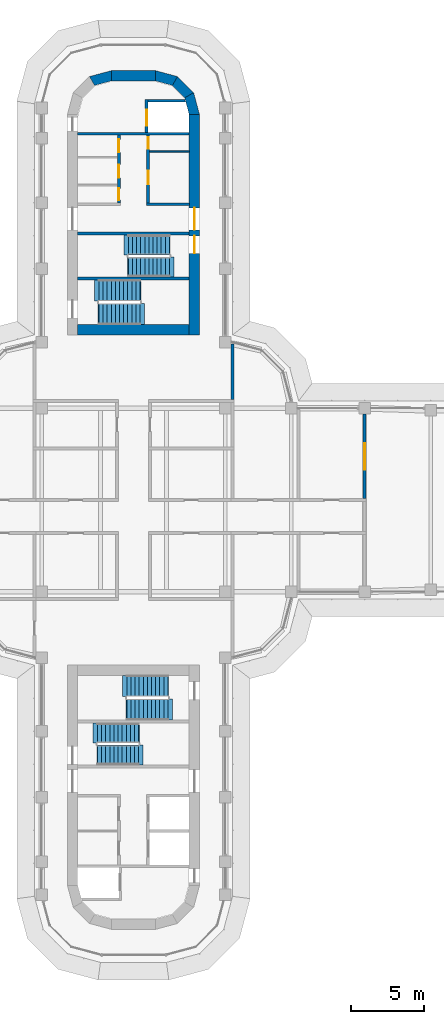
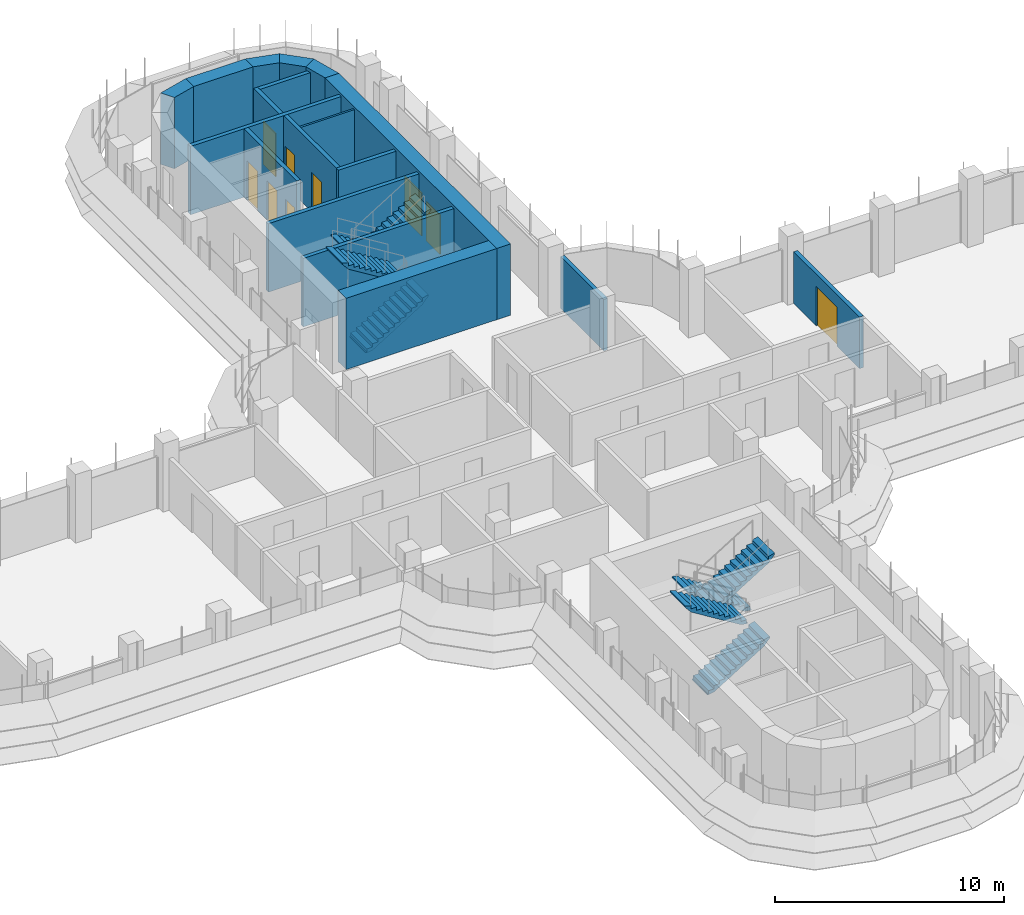
# One storey, part 15 of 19: 18 walls, 9 doors, 8 stair flights, 9 openings, 4 elements without a shape of their own.
"""IFC4 building model written with IfcOpenShell, lengths in metres."""

from ifc_helpers import new_model, si_unit, direction, frame, frame_2d, origin, place, context, subcontext, project, spatial, polyline, rectangle, outline, extrude, material, layer, layer_set, type_object, element, fill, aggregate, save


model = new_model("IFC4")

# Units and contexts
model_context = context("Model", 3, precision=1e-05, world=origin(), true_north=direction((0.0, 1.0)))
body_context = subcontext(model_context, "Body", "Model", "MODEL_VIEW")
ifc_project = project(units=[si_unit("LENGTHUNIT", "METRE"), si_unit("AREAUNIT", "SQUARE_METRE"), si_unit("VOLUMEUNIT", "CUBIC_METRE"), si_unit("PLANEANGLEUNIT", "RADIAN"), si_unit("MASSUNIT", "GRAM", prefix="KILO")], contexts=[model_context])

# Site, building, storey
site_placement = place(None, origin())
site = spatial("IfcSite", under=ifc_project, at=site_placement, CompositionType="ELEMENT")
building_placement = place(site_placement, origin())
building = spatial("IfcBuilding", under=site, at=building_placement, Name="Zarbagh Exchange Tower", CompositionType="ELEMENT")
storey_placement = place(building_placement, frame((0.0, 0.0, 167.60009765625)))
storey = spatial("IfcBuildingStorey", under=building, at=storey_placement, Name="L40", CompositionType="ELEMENT", Elevation=167.60009765625)

# Walls
ifc_material_1 = material(Name="Dense blockwork", Category="masonry")
ifc_layer_1 = layer(ifc_material_1, 0.10009765625)
ifc_layer_set_1 = layer_set([ifc_layer_1], Name="Core partition 100 mm blockwork")
wall_type_1 = type_object("IfcWallType", Name="Core partition 100 mm blockwork", PredefinedType="PARTITIONING", material=ifc_layer_set_1)
wall_1_placement = place(storey_placement, frame((1.10009765625, 23.75, 0.0), z_axis=(0.0, 0.0, 1.0), x_axis=(1.0, 0.0, 0.0)))
element("IfcWall", 1, at=wall_1_placement, inside=storey, type_object=wall_type_1, Name="North core partition wall CUT-E-460", PredefinedType="PARTITIONING", context=body_context, shape_type="SweptSolid", body=[
    extrude(rectangle(XDim=2.699951171875, YDim=0.10009765625, at=frame_2d((1.35009765625, 0.0))), origin(), (0.0, 0.0, 1.0), 3.64990234375),
])
ifc_material_2 = material(Name="Fire-rated plasterboard partition")
ifc_layer_2 = layer(ifc_material_2, 0.199951171875)
ifc_layer_set_2 = layer_set([ifc_layer_2], Name="RATED PARTITION 200")
wall_type_2 = type_object("IfcWallType", Name="RATED PARTITION 200", PredefinedType="PARTITIONING", material=ifc_layer_set_2)
wall_2_placement = place(storey_placement, frame((6.75, 6.85009765625, 0.0), z_axis=(0.0, 0.0, 1.0), x_axis=(0.0, 1.0, 0.0)))
element("IfcWall", 2, at=wall_2_placement, inside=storey, type_object=wall_type_2, Name="Partition W-1722", PredefinedType="PARTITIONING", context=body_context, shape_type="SweptSolid", body=[
    extrude(rectangle(XDim=3.77978515625, YDim=0.199951171875, at=frame_2d((1.889892578125, 0.0))), origin(), (0.0, 0.0, 1.0), 2.75),
])

# Wall, opening, door
wall_3_placement = place(storey_placement, frame((15.75, 5.85009765625, 0.0), z_axis=(0.0, 0.0, 1.0), x_axis=(0.0, -1.0, 0.0)))
wall_3 = element("IfcWall", 3, at=wall_3_placement, inside=storey, type_object=wall_type_2, Name="Partition W-1742", PredefinedType="PARTITIONING", context=body_context, shape_type="SweptSolid", body=[
    extrude(rectangle(XDim=5.75, YDim=0.199951171875, at=frame_2d((2.875, 0.0))), origin(), (0.0, 0.0, 1.0), 2.75),
])
opening_1_placement = place(wall_3_placement, frame((1.97509765625, 0.0, 0.0)))
opening_1 = element("IfcOpeningElement", 4, at=opening_1_placement, cuts=wall_3, Name="Opening D-1701", PredefinedType="OPENING", context=body_context, shape_type="SweptSolid", body=[
    extrude(rectangle(XDim=1.800048828125, YDim=2.10009765625, at=frame_2d((0.89990234375, 1.050048828125))), frame((0.0, 0.10986328125, 0.0), z_axis=(0.0, -1.0, 0.0), x_axis=(1.0, 0.0, 0.0)), (0.0, 0.0, 1.0), 0.219970703125),
])
ifc_material_3 = material(Name="Steel door set", Category="steel")
door_type_1 = type_object("IfcDoorType", Name="FIRE DOUBLE DOOR 1800 X 2100 FD30S", OperationType="DOUBLE_DOOR_SINGLE_SWING", PredefinedType="DOOR", material=ifc_material_3)
door_1_placement = place(opening_1_placement, origin())
door_1 = element("IfcDoor", 5, at=door_1_placement, inside=storey, type_object=door_type_1, Name="Door D-1701", OperationType="DOUBLE_DOOR_SINGLE_SWING", OverallHeight=2.10009765625, OverallWidth=1.800048828125, PredefinedType="DOOR", context=body_context, shape_type="SweptSolid", body=[
    extrude(rectangle(XDim=1.800048828125, YDim=2.10009765625, at=frame_2d((0.89990234375, 1.050048828125))), frame((0.0, 0.02490234375, 0.0), z_axis=(0.0, -1.0, 0.0), x_axis=(1.0, 0.0, 0.0)), (0.0, 0.0, 1.0), 0.050048828125),
])
fill(opening_1, door_1)

# Walls
ifc_material_4 = material(Name="Concrete C50/60", Category="concrete")
ifc_layer_3 = layer(ifc_material_4, 0.699951171875)
ifc_layer_set_3 = layer_set([ifc_layer_3], Name="RC core corner wall 700 C50/60")
wall_type_3 = type_object("IfcWallType", Name="RC core corner wall 700 C50/60", PredefinedType="SHEAR", material=ifc_layer_set_3)
wall_4_placement = place(storey_placement, origin())
element("IfcWall", 6, at=wall_4_placement, inside=storey, type_object=wall_type_3, Name="CW6 core N corner W", PredefinedType="SHEAR", context=body_context, shape_type="SweptSolid", body=[
    extrude(outline(polyline([(-3.0, 28.84814453125), (-1.5, 29.25), (-1.5, 28.550048828125), (-2.64990234375, 28.241943359375), (-3.0, 28.84814453125)])), origin(), (0.0, 0.0, 1.0), 3.7998046875),
])
wall_5_placement = place(storey_placement, origin())
element("IfcWall", 7, at=wall_5_placement, inside=storey, type_object=wall_type_3, Name="CW6 core N corner E", PredefinedType="SHEAR", context=body_context, shape_type="SweptSolid", body=[
    extrude(outline(polyline([(4.5, 26.25), (4.09814453125, 27.75), (3.491943359375, 27.39990234375), (3.800048828125, 26.25), (4.5, 26.25)])), origin(), (0.0, 0.0, 1.0), 3.7998046875),
])
wall_6_placement = place(storey_placement, origin())
element("IfcWall", 8, at=wall_6_placement, inside=storey, type_object=wall_type_3, Name="CW6 core N corner E", PredefinedType="SHEAR", context=body_context, shape_type="SweptSolid", body=[
    extrude(outline(polyline([(4.09814453125, 27.75), (3.0, 28.84814453125), (2.64990234375, 28.241943359375), (3.491943359375, 27.39990234375), (4.09814453125, 27.75)])), origin(), (0.0, 0.0, 1.0), 3.7998046875),
])
wall_7_placement = place(storey_placement, origin())
element("IfcWall", 9, at=wall_7_placement, inside=storey, type_object=wall_type_3, Name="CW6 core N corner E", PredefinedType="SHEAR", context=body_context, shape_type="SweptSolid", body=[
    extrude(outline(polyline([(3.0, 28.84814453125), (1.5, 29.25), (1.5, 28.550048828125), (2.64990234375, 28.241943359375), (3.0, 28.84814453125)])), origin(), (0.0, 0.0, 1.0), 3.7998046875),
])

# Wall, openings, doors
ifc_layer_4 = layer(ifc_material_4, 0.699951171875)
ifc_layer_set_4 = layer_set([ifc_layer_4], Name="RC core wall 700 C50/60")
wall_type_4 = type_object("IfcWallType", Name="RC core wall 700 C50/60", PredefinedType="SHEAR", material=ifc_layer_set_4)
wall_8_placement = place(storey_placement, frame((4.14990234375, 11.25, 0.0), z_axis=(0.0, 0.0, 1.0), x_axis=(0.0, 1.0, 0.0)))
wall_8 = element("IfcWall", 10, at=wall_8_placement, inside=storey, type_object=wall_type_4, Name="CW5 core N E", PredefinedType="SHEAR", context=body_context, shape_type="SweptSolid", body=[
    extrude(rectangle(XDim=15.0, YDim=0.699951171875, at=frame_2d((7.5, 0.0))), origin(), (0.0, 0.0, 1.0), 3.7998046875),
])
opening_2_placement = place(wall_8_placement, frame((7.14990234375, 0.0, 0.0)))
opening_2 = element("IfcOpeningElement", 11, at=opening_2_placement, cuts=wall_8, Name="Opening CD1-1500", PredefinedType="OPENING", context=body_context, shape_type="SweptSolid", body=[
    extrude(rectangle(XDim=1.5, YDim=2.300048828125, at=frame_2d((0.75, 1.14990234375))), frame((0.0, 0.35986328125, 0.0), z_axis=(0.0, -1.0, 0.0), x_axis=(1.0, 0.0, 0.0)), (0.0, 0.0, 1.0), 0.719970703125),
])
opening_3_placement = place(wall_8_placement, frame((5.550048828125, 0.0, 0.0)))
opening_3 = element("IfcOpeningElement", 12, at=opening_3_placement, cuts=wall_8, Name="Opening SD1-1200", PredefinedType="OPENING", context=body_context, shape_type="SweptSolid", body=[
    extrude(rectangle(XDim=1.199951171875, YDim=2.10009765625, at=frame_2d((0.60009765625, 1.050048828125))), frame((0.0, 0.35986328125, 0.0), z_axis=(0.0, -1.0, 0.0), x_axis=(1.0, 0.0, 0.0)), (0.0, 0.0, 1.0), 0.719970703125),
])
ifc_material_5 = material(Name="Steel", Category="steel")
door_type_2 = type_object("IfcDoorType", Name="Exit stair door 1200 x 2100", OperationType="NOTDEFINED", PredefinedType="DOOR", material=ifc_material_5)
door_2_placement = place(opening_3_placement, origin())
door_2 = element("IfcDoor", 13, at=door_2_placement, inside=storey, type_object=door_type_2, Name="North core stair door ST1", OperationType="SINGLE_SWING_LEFT", OverallHeight=2.10009765625, OverallWidth=1.199951171875, PredefinedType="DOOR", context=body_context, shape_type="SweptSolid", body=[
    extrude(rectangle(XDim=1.199951171875, YDim=2.10009765625, at=frame_2d((0.60009765625, 1.050048828125))), frame((0.0, 0.02490234375, 0.0), z_axis=(0.0, -1.0, 0.0), x_axis=(1.0, 0.0, 0.0)), (0.0, 0.0, 1.0), 0.050048828125),
])
fill(opening_3, door_2)
door_type_3 = type_object("IfcDoorType", Name="Lift lobby double door 1500 x 2300", OperationType="NOTDEFINED", PredefinedType="DOOR", material=ifc_material_5)
door_3_placement = place(opening_2_placement, origin())
door_3 = element("IfcDoor", 14, at=door_3_placement, inside=storey, type_object=door_type_3, Name="North core lift lobby door LOBBY-E", OperationType="DOUBLE_DOOR_SINGLE_SWING", OverallHeight=2.300048828125, OverallWidth=1.5, PredefinedType="DOOR", context=body_context, shape_type="SweptSolid", body=[
    extrude(rectangle(XDim=1.5, YDim=2.300048828125, at=frame_2d((0.75, 1.14990234375))), frame((0.0, 0.02490234375, 0.0), z_axis=(0.0, -1.0, 0.0), x_axis=(1.0, 0.0, 0.0)), (0.0, 0.0, 1.0), 0.050048828125),
])
fill(opening_2, door_3)

# Walls
wall_9_placement = place(storey_placement, frame((-3.800048828125, 11.60009765625, 0.0), z_axis=(0.0, 0.0, 1.0), x_axis=(1.0, 0.0, 0.0)))
element("IfcWall", 15, at=wall_9_placement, inside=storey, type_object=wall_type_4, Name="CW5 core N inner end", PredefinedType="SHEAR", context=body_context, shape_type="SweptSolid", body=[
    extrude(rectangle(XDim=7.60009765625, YDim=0.699951171875, at=frame_2d((3.800048828125, 0.0))), origin(), (0.0, 0.0, 1.0), 3.7998046875),
])
wall_10_placement = place(storey_placement, frame((-1.5, 28.89990234375, 0.0), z_axis=(0.0, 0.0, 1.0), x_axis=(1.0, 0.0, 0.0)))
element("IfcWall", 16, at=wall_10_placement, inside=storey, type_object=wall_type_4, Name="CW5 core N outer end", PredefinedType="SHEAR", context=body_context, shape_type="SweptSolid", body=[
    extrude(rectangle(XDim=3.0, YDim=0.699951171875, at=frame_2d((1.5, 0.0))), origin(), (0.0, 0.0, 1.0), 3.7998046875),
])

# Wall, openings, doors
ifc_layer_5 = layer(ifc_material_1, 0.199951171875)
ifc_layer_set_5 = layer_set([ifc_layer_5], Name="Shaft wall 200 mm blockwork")
wall_type_5 = type_object("IfcWallType", Name="Shaft wall 200 mm blockwork", PredefinedType="PARTITIONING", material=ifc_layer_set_5)
wall_11_placement = place(storey_placement, frame((-1.0, 24.85009765625, 0.0), z_axis=(0.0, 0.0, 1.0), x_axis=(0.0, -1.0, 0.0)))
wall_11 = element("IfcWall", 17, at=wall_11_placement, inside=storey, type_object=wall_type_5, Name="North core shaft wall LW-W", PredefinedType="PARTITIONING", context=body_context, shape_type="SweptSolid", body=[
    extrude(rectangle(XDim=4.60009765625, YDim=0.199951171875, at=frame_2d((2.300048828125, 0.0))), origin(), (0.0, 0.0, 1.0), 3.64990234375),
])
opening_4_placement = place(wall_11_placement, frame((0.27490234375, 0.0, 0.0)))
opening_4 = element("IfcOpeningElement", 18, at=opening_4_placement, cuts=wall_11, Name="Opening CD3-900", PredefinedType="OPENING", context=body_context, shape_type="SweptSolid", body=[
    extrude(rectangle(XDim=0.89990234375, YDim=2.10009765625, at=frame_2d((0.449951171875, 1.050048828125))), frame((0.0, 0.10986328125, 0.0), z_axis=(0.0, -1.0, 0.0), x_axis=(1.0, 0.0, 0.0)), (0.0, 0.0, 1.0), 0.219970703125),
])
opening_5_placement = place(wall_11_placement, frame((2.0, 0.0, 0.0)))
opening_5 = element("IfcOpeningElement", 19, at=opening_5_placement, cuts=wall_11, Name="Opening CD3-900", PredefinedType="OPENING", context=body_context, shape_type="SweptSolid", body=[
    extrude(rectangle(XDim=0.89990234375, YDim=2.10009765625, at=frame_2d((0.449951171875, 1.050048828125))), frame((0.0, 0.10986328125, 0.0), z_axis=(0.0, -1.0, 0.0), x_axis=(1.0, 0.0, 0.0)), (0.0, 0.0, 1.0), 0.219970703125),
])
opening_6_placement = place(wall_11_placement, frame((3.625, 0.0, 0.0)))
opening_6 = element("IfcOpeningElement", 20, at=opening_6_placement, cuts=wall_11, Name="Opening CD3-800", PredefinedType="OPENING", context=body_context, shape_type="SweptSolid", body=[
    extrude(rectangle(XDim=0.800048828125, YDim=2.10009765625, at=frame_2d((0.39990234375, 1.050048828125))), frame((0.0, 0.10986328125, 0.0), z_axis=(0.0, -1.0, 0.0), x_axis=(1.0, 0.0, 0.0)), (0.0, 0.0, 1.0), 0.219970703125),
])
door_type_4 = type_object("IfcDoorType", Name="Core room door 800 x 2100", OperationType="NOTDEFINED", PredefinedType="DOOR", material=ifc_material_5)
door_4_placement = place(opening_6_placement, origin())
door_4 = element("IfcDoor", 21, at=door_4_placement, inside=storey, type_object=door_type_4, Name="North core IT room door RD-W-2", OperationType="SINGLE_SWING_LEFT", OverallHeight=2.10009765625, OverallWidth=0.800048828125, PredefinedType="DOOR", context=body_context, shape_type="SweptSolid", body=[
    extrude(rectangle(XDim=0.800048828125, YDim=2.10009765625, at=frame_2d((0.39990234375, 1.050048828125))), frame((0.0, 0.02490234375, 0.0), z_axis=(0.0, -1.0, 0.0), x_axis=(1.0, 0.0, 0.0)), (0.0, 0.0, 1.0), 0.050048828125),
])
fill(opening_6, door_4)
door_type_5 = type_object("IfcDoorType", Name="Core room door 900 x 2100", OperationType="NOTDEFINED", PredefinedType="DOOR", material=ifc_material_5)
door_5_placement = place(opening_4_placement, origin())
door_5 = element("IfcDoor", 22, at=door_5_placement, inside=storey, type_object=door_type_5, Name="North core Cleaner's store door RD-W-0", OperationType="SINGLE_SWING_RIGHT", OverallHeight=2.10009765625, OverallWidth=0.89990234375, PredefinedType="DOOR", context=body_context, shape_type="SweptSolid", body=[
    extrude(rectangle(XDim=0.89990234375, YDim=2.10009765625, at=frame_2d((0.449951171875, 1.050048828125))), frame((0.0, 0.02490234375, 0.0), z_axis=(0.0, -1.0, 0.0), x_axis=(1.0, 0.0, 0.0)), (0.0, 0.0, 1.0), 0.050048828125),
])
fill(opening_4, door_5)
door_6_placement = place(opening_5_placement, origin())
door_6 = element("IfcDoor", 23, at=door_6_placement, inside=storey, type_object=door_type_5, Name="North core Pantry door RD-W-1", OperationType="SINGLE_SWING_LEFT", OverallHeight=2.10009765625, OverallWidth=0.89990234375, PredefinedType="DOOR", context=body_context, shape_type="SweptSolid", body=[
    extrude(rectangle(XDim=0.89990234375, YDim=2.10009765625, at=frame_2d((0.449951171875, 1.050048828125))), frame((0.0, 0.02490234375, 0.0), z_axis=(0.0, -1.0, 0.0), x_axis=(1.0, 0.0, 0.0)), (0.0, 0.0, 1.0), 0.050048828125),
])
fill(opening_5, door_6)

# Wall
wall_12_placement = place(storey_placement, frame((0.89990234375, 20.14990234375, 0.0), z_axis=(0.0, 0.0, 1.0), x_axis=(1.0, 0.0, 0.0)))
element("IfcWall", 24, at=wall_12_placement, inside=storey, type_object=wall_type_5, Name="North core shaft wall AB-E", PredefinedType="PARTITIONING", context=body_context, shape_type="SweptSolid", body=[
    extrude(rectangle(XDim=2.900146484375, YDim=0.199951171875, at=frame_2d((1.4501953125, 0.0))), origin(), (0.0, 0.0, 1.0), 3.64990234375),
])

# Wall, openings, doors
wall_13_placement = place(storey_placement, frame((1.0, 24.85009765625, 0.0), z_axis=(0.0, 0.0, 1.0), x_axis=(0.0, -1.0, 0.0)))
wall_13 = element("IfcWall", 25, at=wall_13_placement, inside=storey, type_object=wall_type_5, Name="North core shaft wall LW-E", PredefinedType="PARTITIONING", context=body_context, shape_type="SweptSolid", body=[
    extrude(rectangle(XDim=4.60009765625, YDim=0.199951171875, at=frame_2d((2.300048828125, 0.0))), origin(), (0.0, 0.0, 1.0), 3.64990234375),
])
opening_7_placement = place(wall_13_placement, frame((0.125, 0.0, 0.0)))
opening_7 = element("IfcOpeningElement", 26, at=opening_7_placement, cuts=wall_13, Name="Opening CD3-800", PredefinedType="OPENING", context=body_context, shape_type="SweptSolid", body=[
    extrude(rectangle(XDim=0.800048828125, YDim=2.10009765625, at=frame_2d((0.39990234375, 1.050048828125))), frame((0.0, 0.10986328125, 0.0), z_axis=(0.0, -1.0, 0.0), x_axis=(1.0, 0.0, 0.0)), (0.0, 0.0, 1.0), 0.219970703125),
])
opening_8_placement = place(wall_13_placement, frame((2.425048828125, 0.0, 0.0)))
opening_8 = element("IfcOpeningElement", 27, at=opening_8_placement, cuts=wall_13, Name="Opening CD3-900", PredefinedType="OPENING", context=body_context, shape_type="SweptSolid", body=[
    extrude(rectangle(XDim=0.89990234375, YDim=2.10009765625, at=frame_2d((0.449951171875, 1.050048828125))), frame((0.0, 0.10986328125, 0.0), z_axis=(0.0, -1.0, 0.0), x_axis=(1.0, 0.0, 0.0)), (0.0, 0.0, 1.0), 0.219970703125),
])
door_7_placement = place(opening_7_placement, origin())
door_7 = element("IfcDoor", 28, at=door_7_placement, inside=storey, type_object=door_type_4, Name="North core Store door RD-E-0", OperationType="SINGLE_SWING_LEFT", OverallHeight=2.10009765625, OverallWidth=0.800048828125, PredefinedType="DOOR", context=body_context, shape_type="SweptSolid", body=[
    extrude(rectangle(XDim=0.800048828125, YDim=2.10009765625, at=frame_2d((0.39990234375, 1.050048828125))), frame((0.0, 0.02490234375, 0.0), z_axis=(0.0, -1.0, 0.0), x_axis=(1.0, 0.0, 0.0)), (0.0, 0.0, 1.0), 0.050048828125),
])
fill(opening_7, door_7)
door_8_placement = place(opening_8_placement, origin())
door_8 = element("IfcDoor", 29, at=door_8_placement, inside=storey, type_object=door_type_5, Name="North core Staff WC door RD-E-1", OperationType="SINGLE_SWING_RIGHT", OverallHeight=2.10009765625, OverallWidth=0.89990234375, PredefinedType="DOOR", context=body_context, shape_type="SweptSolid", body=[
    extrude(rectangle(XDim=0.89990234375, YDim=2.10009765625, at=frame_2d((0.449951171875, 1.050048828125))), frame((0.0, 0.02490234375, 0.0), z_axis=(0.0, -1.0, 0.0), x_axis=(1.0, 0.0, 0.0)), (0.0, 0.0, 1.0), 0.050048828125),
])
fill(opening_8, door_8)

# Wall
ifc_material_6 = material(Name="Concrete C40/50", Category="concrete")
ifc_layer_6 = layer(ifc_material_6, 0.199951171875)
ifc_layer_set_6 = layer_set([ifc_layer_6], Name="Stair enclosure wall 200 mm RC C40/50")
wall_type_6 = type_object("IfcWallType", Name="Stair enclosure wall 200 mm RC C40/50", PredefinedType="SHEAR", material=ifc_layer_set_6)
wall_14_placement = place(storey_placement, frame((-3.800048828125, 24.949951171875, 0.0), z_axis=(0.0, 0.0, 1.0), x_axis=(1.0, 0.0, 0.0)))
element("IfcWall", 30, at=wall_14_placement, inside=storey, type_object=wall_type_6, Name="North core lift shaft wall FFA", PredefinedType="SHEAR", context=body_context, shape_type="SweptSolid", body=[
    extrude(rectangle(XDim=7.60009765625, YDim=0.199951171875, at=frame_2d((3.800048828125, 0.0))), origin(), (0.0, 0.0, 1.0), 3.64990234375),
])

# Wall, opening, door
wall_15_placement = place(storey_placement, frame((0.89990234375, 27.300048828125, 0.0), z_axis=(0.0, 0.0, 1.0), x_axis=(0.0, -1.0, 0.0)))
wall_15 = element("IfcWall", 31, at=wall_15_placement, inside=storey, type_object=wall_type_6, Name="North core lift shaft wall FFL", PredefinedType="SHEAR", context=body_context, shape_type="SweptSolid", body=[
    extrude(rectangle(XDim=2.25, YDim=0.199951171875, at=frame_2d((1.125, 0.0))), origin(), (0.0, 0.0, 1.0), 3.64990234375),
])
opening_9_placement = place(wall_15_placement, frame((0.699951171875, 0.0, 0.0)))
opening_9 = element("IfcOpeningElement", 32, at=opening_9_placement, cuts=wall_15, Name="Opening LD-1100", PredefinedType="OPENING", context=body_context, shape_type="SweptSolid", body=[
    extrude(rectangle(XDim=1.10009765625, YDim=2.300048828125, at=frame_2d((0.550048828125, 1.14990234375))), frame((0.0, 0.10986328125, 0.0), z_axis=(0.0, -1.0, 0.0), x_axis=(1.0, 0.0, 0.0)), (0.0, 0.0, 1.0), 0.219970703125),
])
ifc_material_7 = material(Name="Stainless steel", Category="steel")
door_type_6 = type_object("IfcDoorType", Name="Lift landing door 1100 x 2300", OperationType="NOTDEFINED", PredefinedType="DOOR", material=ifc_material_7)
door_9_placement = place(opening_9_placement, origin())
door_9 = element("IfcDoor", 33, at=door_9_placement, inside=storey, type_object=door_type_6, Name="North core lift landing door LD-F", OperationType="DOUBLE_DOOR_SLIDING", OverallHeight=2.300048828125, OverallWidth=1.10009765625, PredefinedType="DOOR", context=body_context, shape_type="SweptSolid", body=[
    extrude(rectangle(XDim=1.10009765625, YDim=2.300048828125, at=frame_2d((0.550048828125, 1.14990234375))), frame((0.0, 0.02490234375, 0.0), z_axis=(0.0, -1.0, 0.0), x_axis=(1.0, 0.0, 0.0)), (0.0, 0.0, 1.0), 0.050048828125),
])
fill(opening_9, door_9)

# Walls
wall_16_placement = place(storey_placement, origin())
element("IfcWall", 34, at=wall_16_placement, inside=storey, type_object=wall_type_6, Name="North core lift shaft wall FFX", PredefinedType="SHEAR", context=body_context, shape_type="SweptSolid", body=[
    extrude(outline(polyline([(1.0, 27.10009765625), (3.547607421875, 27.10009765625), (3.493896484375, 27.300048828125), (1.0, 27.300048828125), (1.0, 27.10009765625)])), origin(), (0.0, 0.0, 1.0), 3.64990234375),
])
for number, where, z_axis, x_axis, name in (
    (35, (-3.800048828125, 18.14990234375, 0.0), (0.0, 0.0, 1.0), (1.0, 0.0, 0.0), "North core stair wall BS"),
    (36, (-3.800048828125, 15.10009765625, 0.0), (0.0, 0.0, 1.0), (1.0, 0.0, 0.0), "North core stair wall ST12"),
):
    element("IfcWall", number, at=place(storey_placement, frame(where, z_axis=z_axis, x_axis=x_axis)), inside=storey, type_object=wall_type_6, Name=name, PredefinedType="SHEAR", context=body_context, shape_type="SweptSolid", body=[
        extrude(rectangle(XDim=7.60009765625, YDim=0.199951171875, at=frame_2d((3.800048828125, 0.0))), origin(), (0.0, 0.0, 1.0), 3.64990234375),
    ])

# Stair, stair flights
stair_type = type_object("IfcStairType", Name="Exit stair two-flight half-turn", PredefinedType="HALF_TURN_STAIR", material=ifc_material_6)
stair_1_placement = place(storey_placement, origin())
stair_1 = element("IfcStair", 37, at=stair_1_placement, inside=storey, type_object=stair_type, Name="exit stair ST1", PredefinedType="HALF_TURN_STAIR")
stair_flight_type_1 = type_object("IfcStairFlightType", Name="Stair flight 1350 mm", PredefinedType="STRAIGHT", material=ifc_material_6)
stair_flight_1_placement = place(storey_placement, frame((2.449951171875, 17.375, 0.0), z_axis=(0.0, 0.0, 1.0), x_axis=(-1.0, 0.0, 0.0)))
stair_flight_1 = element("IfcStairFlight", 38, at=stair_flight_1_placement, type_object=stair_flight_type_1, Name="ST1 flight 1", NumberOfRisers=11, NumberOfTreads=10, PredefinedType="STRAIGHT", RiserHeight=0.172727273, TreadLength=0.28, context=body_context, shape_type="SweptSolid", body=[
    extrude(outline(polyline([(-0.050048828125, -0.050048828125), (-0.050048828125, 0.0), (0.0, 0.0), (0.0, 0.172607421875), (0.280029296875, 0.172607421875), (0.280029296875, 0.345458984375), (0.56005859375, 0.345458984375), (0.56005859375, 0.51806640625), (0.840087890625, 0.51806640625), (0.840087890625, 0.69091796875), (1.1201171875, 0.69091796875), (1.1201171875, 0.863525390625), (1.39990234375, 0.863525390625), (1.39990234375, 1.036376953125), (1.679931640625, 1.036376953125), (1.679931640625, 1.208984375), (1.9599609375, 1.208984375), (1.9599609375, 1.3818359375), (2.239990234375, 1.3818359375), (2.239990234375, 1.554443359375), (2.52001953125, 1.554443359375), (2.52001953125, 1.727294921875), (2.800048828125, 1.727294921875), (2.800048828125, 1.89990234375), (3.10009765625, 1.97998046875), (3.10009765625, 1.89990234375), (2.800048828125, 1.551025390625), (0.285400390625, 0.0), (-0.050048828125, -0.050048828125)])), frame((0.0, 0.675048828125, 0.0), z_axis=(0.0, -1.0, 0.0), x_axis=(1.0, 0.0, 0.0)), (0.0, 0.0, 1.0), 1.35009765625),
])
stair_flight_2_placement = place(storey_placement, frame((-0.35009765625, 15.875, 1.89990234375), z_axis=(0.0, 0.0, 1.0), x_axis=(1.0, 0.0, 0.0)))
stair_flight_2 = element("IfcStairFlight", 39, at=stair_flight_2_placement, type_object=stair_flight_type_1, Name="ST1 flight 2", NumberOfRisers=11, NumberOfTreads=10, PredefinedType="STRAIGHT", RiserHeight=0.172727273, TreadLength=0.28, context=body_context, shape_type="SweptSolid", body=[
    extrude(outline(polyline([(-0.050048828125, -0.050048828125), (-0.050048828125, 0.0), (0.0, 0.0), (0.0, 0.172607421875), (0.280029296875, 0.172607421875), (0.280029296875, 0.345458984375), (0.56005859375, 0.345458984375), (0.56005859375, 0.51806640625), (0.840087890625, 0.51806640625), (0.840087890625, 0.69091796875), (1.1201171875, 0.69091796875), (1.1201171875, 0.863525390625), (1.39990234375, 0.863525390625), (1.39990234375, 1.036376953125), (1.679931640625, 1.036376953125), (1.679931640625, 1.208984375), (1.9599609375, 1.208984375), (1.9599609375, 1.3818359375), (2.239990234375, 1.3818359375), (2.239990234375, 1.554443359375), (2.52001953125, 1.554443359375), (2.52001953125, 1.727294921875), (2.800048828125, 1.727294921875), (2.800048828125, 1.89990234375), (3.10009765625, 1.97998046875), (3.10009765625, 1.89990234375), (2.800048828125, 1.551025390625), (0.285400390625, 0.0), (-0.050048828125, -0.050048828125)])), frame((0.0, 0.675048828125, 0.0), z_axis=(0.0, -1.0, 0.0), x_axis=(1.0, 0.0, 0.0)), (0.0, 0.0, 1.0), 1.35009765625),
])
aggregate(stair_1, [stair_flight_1, stair_flight_2])

stair_2_placement = place(storey_placement, origin())
stair_2 = element("IfcStair", 40, at=stair_2_placement, inside=storey, type_object=stair_type, Name="exit stair ST3", PredefinedType="HALF_TURN_STAIR")
stair_flight_3_placement = place(storey_placement, frame((-2.449951171875, -17.375, 0.0), z_axis=(0.0, 0.0, 1.0), x_axis=(1.0, 0.0, 0.0)))
stair_flight_3 = element("IfcStairFlight", 41, at=stair_flight_3_placement, type_object=stair_flight_type_1, Name="ST3 flight 1", NumberOfRisers=11, NumberOfTreads=10, PredefinedType="STRAIGHT", RiserHeight=0.172727273, TreadLength=0.28, context=body_context, shape_type="SweptSolid", body=[
    extrude(outline(polyline([(-0.050048828125, -0.050048828125), (-0.050048828125, 0.0), (0.0, 0.0), (0.0, 0.172607421875), (0.280029296875, 0.172607421875), (0.280029296875, 0.345458984375), (0.56005859375, 0.345458984375), (0.56005859375, 0.51806640625), (0.840087890625, 0.51806640625), (0.840087890625, 0.69091796875), (1.1201171875, 0.69091796875), (1.1201171875, 0.863525390625), (1.39990234375, 0.863525390625), (1.39990234375, 1.036376953125), (1.679931640625, 1.036376953125), (1.679931640625, 1.208984375), (1.9599609375, 1.208984375), (1.9599609375, 1.3818359375), (2.239990234375, 1.3818359375), (2.239990234375, 1.554443359375), (2.52001953125, 1.554443359375), (2.52001953125, 1.727294921875), (2.800048828125, 1.727294921875), (2.800048828125, 1.89990234375), (3.10009765625, 1.97998046875), (3.10009765625, 1.89990234375), (2.800048828125, 1.551025390625), (0.285400390625, 0.0), (-0.050048828125, -0.050048828125)])), frame((0.0, 0.675048828125, 0.0), z_axis=(0.0, -1.0, 0.0), x_axis=(1.0, 0.0, 0.0)), (0.0, 0.0, 1.0), 1.35009765625),
])
stair_flight_4_placement = place(storey_placement, frame((0.35009765625, -15.875, 1.89990234375), z_axis=(0.0, 0.0, 1.0), x_axis=(-1.0, 0.0, 0.0)))
stair_flight_4 = element("IfcStairFlight", 42, at=stair_flight_4_placement, type_object=stair_flight_type_1, Name="ST3 flight 2", NumberOfRisers=11, NumberOfTreads=10, PredefinedType="STRAIGHT", RiserHeight=0.172727273, TreadLength=0.28, context=body_context, shape_type="SweptSolid", body=[
    extrude(outline(polyline([(-0.050048828125, -0.050048828125), (-0.050048828125, 0.0), (0.0, 0.0), (0.0, 0.172607421875), (0.280029296875, 0.172607421875), (0.280029296875, 0.345458984375), (0.56005859375, 0.345458984375), (0.56005859375, 0.51806640625), (0.840087890625, 0.51806640625), (0.840087890625, 0.69091796875), (1.1201171875, 0.69091796875), (1.1201171875, 0.863525390625), (1.39990234375, 0.863525390625), (1.39990234375, 1.036376953125), (1.679931640625, 1.036376953125), (1.679931640625, 1.208984375), (1.9599609375, 1.208984375), (1.9599609375, 1.3818359375), (2.239990234375, 1.3818359375), (2.239990234375, 1.554443359375), (2.52001953125, 1.554443359375), (2.52001953125, 1.727294921875), (2.800048828125, 1.727294921875), (2.800048828125, 1.89990234375), (3.10009765625, 1.97998046875), (3.10009765625, 1.89990234375), (2.800048828125, 1.551025390625), (0.285400390625, 0.0), (-0.050048828125, -0.050048828125)])), frame((0.0, 0.675048828125, 0.0), z_axis=(0.0, -1.0, 0.0), x_axis=(1.0, 0.0, 0.0)), (0.0, 0.0, 1.0), 1.35009765625),
])
aggregate(stair_2, [stair_flight_3, stair_flight_4])

stair_3_placement = place(storey_placement, origin())
stair_3 = element("IfcStair", 43, at=stair_3_placement, inside=storey, type_object=stair_type, Name="exit stair ST2", PredefinedType="HALF_TURN_STAIR")
stair_flight_type_2 = type_object("IfcStairFlightType", Name="Stair flight 1450 mm", PredefinedType="STRAIGHT", material=ifc_material_6)
stair_flight_5_placement = place(storey_placement, frame((-2.35009765625, 12.675048828125, 0.0), z_axis=(0.0, 0.0, 1.0), x_axis=(1.0, 0.0, 0.0)))
stair_flight_5 = element("IfcStairFlight", 44, at=stair_flight_5_placement, type_object=stair_flight_type_2, Name="ST2 flight 1", NumberOfRisers=11, NumberOfTreads=10, PredefinedType="STRAIGHT", RiserHeight=0.172727273, TreadLength=0.28, context=body_context, shape_type="SweptSolid", body=[
    extrude(outline(polyline([(-0.050048828125, -0.050048828125), (-0.050048828125, 0.0), (0.0, 0.0), (0.0, 0.172607421875), (0.280029296875, 0.172607421875), (0.280029296875, 0.345458984375), (0.56005859375, 0.345458984375), (0.56005859375, 0.51806640625), (0.840087890625, 0.51806640625), (0.840087890625, 0.69091796875), (1.1201171875, 0.69091796875), (1.1201171875, 0.863525390625), (1.39990234375, 0.863525390625), (1.39990234375, 1.036376953125), (1.679931640625, 1.036376953125), (1.679931640625, 1.208984375), (1.9599609375, 1.208984375), (1.9599609375, 1.3818359375), (2.239990234375, 1.3818359375), (2.239990234375, 1.554443359375), (2.52001953125, 1.554443359375), (2.52001953125, 1.727294921875), (2.800048828125, 1.727294921875), (2.800048828125, 1.89990234375), (3.10009765625, 1.97998046875), (3.10009765625, 1.89990234375), (2.800048828125, 1.551025390625), (0.285400390625, 0.0), (-0.050048828125, -0.050048828125)])), frame((0.0, 0.72509765625, 0.0), z_axis=(0.0, -1.0, 0.0), x_axis=(1.0, 0.0, 0.0)), (0.0, 0.0, 1.0), 1.449951171875),
])
stair_flight_6_placement = place(storey_placement, frame((0.449951171875, 14.27490234375, 1.89990234375), z_axis=(0.0, 0.0, 1.0), x_axis=(-1.0, 0.0, 0.0)))
stair_flight_6 = element("IfcStairFlight", 45, at=stair_flight_6_placement, type_object=stair_flight_type_2, Name="ST2 flight 2", NumberOfRisers=11, NumberOfTreads=10, PredefinedType="STRAIGHT", RiserHeight=0.172727273, TreadLength=0.28, context=body_context, shape_type="SweptSolid", body=[
    extrude(outline(polyline([(-0.050048828125, -0.050048828125), (-0.050048828125, 0.0), (0.0, 0.0), (0.0, 0.172607421875), (0.280029296875, 0.172607421875), (0.280029296875, 0.345458984375), (0.56005859375, 0.345458984375), (0.56005859375, 0.51806640625), (0.840087890625, 0.51806640625), (0.840087890625, 0.69091796875), (1.1201171875, 0.69091796875), (1.1201171875, 0.863525390625), (1.39990234375, 0.863525390625), (1.39990234375, 1.036376953125), (1.679931640625, 1.036376953125), (1.679931640625, 1.208984375), (1.9599609375, 1.208984375), (1.9599609375, 1.3818359375), (2.239990234375, 1.3818359375), (2.239990234375, 1.554443359375), (2.52001953125, 1.554443359375), (2.52001953125, 1.727294921875), (2.800048828125, 1.727294921875), (2.800048828125, 1.89990234375), (3.10009765625, 1.97998046875), (3.10009765625, 1.89990234375), (2.800048828125, 1.551025390625), (0.285400390625, 0.0), (-0.050048828125, -0.050048828125)])), frame((0.0, 0.72509765625, 0.0), z_axis=(0.0, -1.0, 0.0), x_axis=(1.0, 0.0, 0.0)), (0.0, 0.0, 1.0), 1.449951171875),
])
aggregate(stair_3, [stair_flight_5, stair_flight_6])

stair_4_placement = place(storey_placement, origin())
stair_4 = element("IfcStair", 46, at=stair_4_placement, inside=storey, type_object=stair_type, Name="exit stair ST4", PredefinedType="HALF_TURN_STAIR")
stair_flight_7_placement = place(storey_placement, frame((2.35009765625, -12.675048828125, 0.0), z_axis=(0.0, 0.0, 1.0), x_axis=(-1.0, 0.0, 0.0)))
stair_flight_7 = element("IfcStairFlight", 47, at=stair_flight_7_placement, type_object=stair_flight_type_2, Name="ST4 flight 1", NumberOfRisers=11, NumberOfTreads=10, PredefinedType="STRAIGHT", RiserHeight=0.172727273, TreadLength=0.28, context=body_context, shape_type="SweptSolid", body=[
    extrude(outline(polyline([(-0.050048828125, -0.050048828125), (-0.050048828125, 0.0), (0.0, 0.0), (0.0, 0.172607421875), (0.280029296875, 0.172607421875), (0.280029296875, 0.345458984375), (0.56005859375, 0.345458984375), (0.56005859375, 0.51806640625), (0.840087890625, 0.51806640625), (0.840087890625, 0.69091796875), (1.1201171875, 0.69091796875), (1.1201171875, 0.863525390625), (1.39990234375, 0.863525390625), (1.39990234375, 1.036376953125), (1.679931640625, 1.036376953125), (1.679931640625, 1.208984375), (1.9599609375, 1.208984375), (1.9599609375, 1.3818359375), (2.239990234375, 1.3818359375), (2.239990234375, 1.554443359375), (2.52001953125, 1.554443359375), (2.52001953125, 1.727294921875), (2.800048828125, 1.727294921875), (2.800048828125, 1.89990234375), (3.10009765625, 1.97998046875), (3.10009765625, 1.89990234375), (2.800048828125, 1.551025390625), (0.285400390625, 0.0), (-0.050048828125, -0.050048828125)])), frame((0.0, 0.72509765625, 0.0), z_axis=(0.0, -1.0, 0.0), x_axis=(1.0, 0.0, 0.0)), (0.0, 0.0, 1.0), 1.449951171875),
])
stair_flight_8_placement = place(storey_placement, frame((-0.449951171875, -14.27490234375, 1.89990234375), z_axis=(0.0, 0.0, 1.0), x_axis=(1.0, 0.0, 0.0)))
stair_flight_8 = element("IfcStairFlight", 48, at=stair_flight_8_placement, type_object=stair_flight_type_2, Name="ST4 flight 2", NumberOfRisers=11, NumberOfTreads=10, PredefinedType="STRAIGHT", RiserHeight=0.172727273, TreadLength=0.28, context=body_context, shape_type="SweptSolid", body=[
    extrude(outline(polyline([(-0.050048828125, -0.050048828125), (-0.050048828125, 0.0), (0.0, 0.0), (0.0, 0.172607421875), (0.280029296875, 0.172607421875), (0.280029296875, 0.345458984375), (0.56005859375, 0.345458984375), (0.56005859375, 0.51806640625), (0.840087890625, 0.51806640625), (0.840087890625, 0.69091796875), (1.1201171875, 0.69091796875), (1.1201171875, 0.863525390625), (1.39990234375, 0.863525390625), (1.39990234375, 1.036376953125), (1.679931640625, 1.036376953125), (1.679931640625, 1.208984375), (1.9599609375, 1.208984375), (1.9599609375, 1.3818359375), (2.239990234375, 1.3818359375), (2.239990234375, 1.554443359375), (2.52001953125, 1.554443359375), (2.52001953125, 1.727294921875), (2.800048828125, 1.727294921875), (2.800048828125, 1.89990234375), (3.10009765625, 1.97998046875), (3.10009765625, 1.89990234375), (2.800048828125, 1.551025390625), (0.285400390625, 0.0), (-0.050048828125, -0.050048828125)])), frame((0.0, 0.72509765625, 0.0), z_axis=(0.0, -1.0, 0.0), x_axis=(1.0, 0.0, 0.0)), (0.0, 0.0, 1.0), 1.449951171875),
])
aggregate(stair_4, [stair_flight_7, stair_flight_8])

save(model, "model.ifc")
